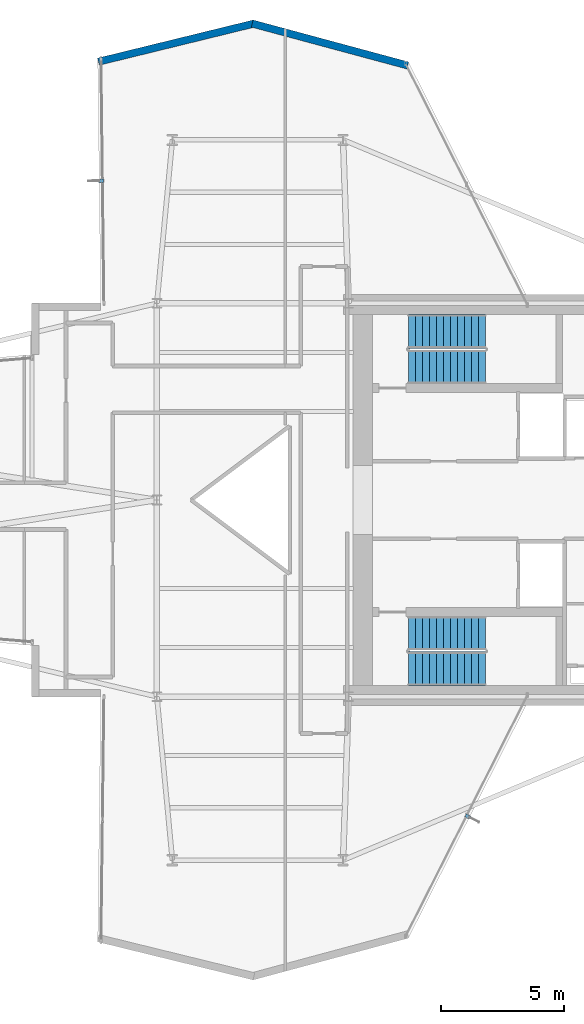
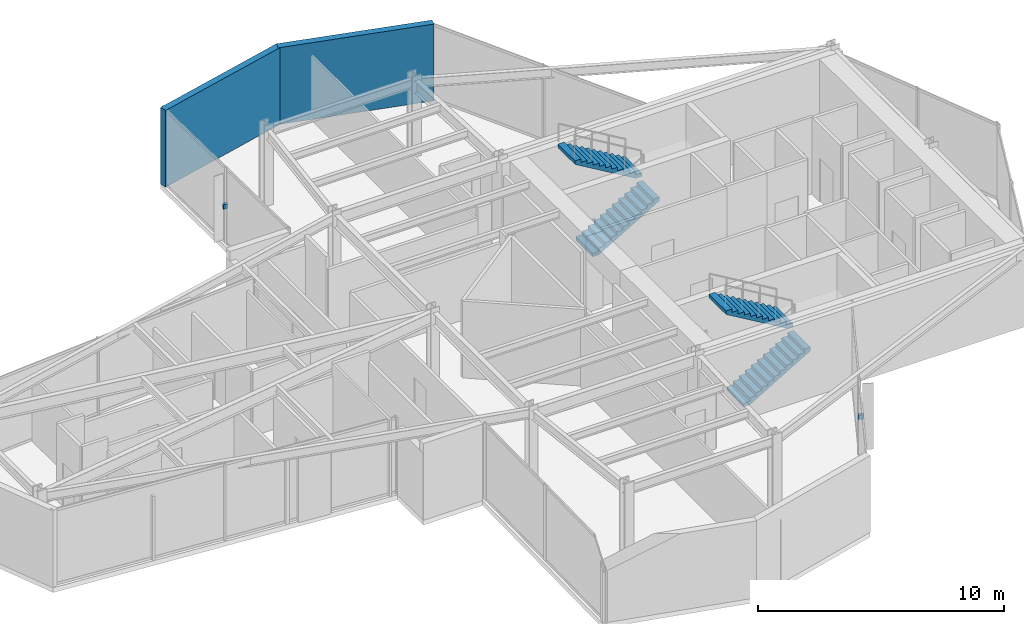
# One storey, part 24 of 25: 4 stair flights, 2 discrete accessories, 2 walls, 2 elements without a shape of their own.
"""IFC4 building model written with IfcOpenShell, lengths in metres."""

from ifc_helpers import new_model, si_unit, direction, frame, frame_2d, origin, origin_2d, place, context, subcontext, project, spatial, polyline, rectangle, outline, extrude, material, layer, layer_set, type_object, element, aggregate, save


model = new_model("IFC4")

# Units and contexts
model_context = context("Model", 3, precision=1e-05, world=origin(), true_north=direction((0.0, 1.0)))
body_context = subcontext(model_context, "Body", "Model", "MODEL_VIEW")
ifc_project = project(units=[si_unit("LENGTHUNIT", "METRE"), si_unit("AREAUNIT", "SQUARE_METRE"), si_unit("VOLUMEUNIT", "CUBIC_METRE"), si_unit("PLANEANGLEUNIT", "RADIAN"), si_unit("MASSUNIT", "GRAM", prefix="KILO")], contexts=[model_context])

# Site, building, storey
site_placement = place(None, origin())
site = spatial("IfcSite", under=ifc_project, at=site_placement, CompositionType="ELEMENT")
building_placement = place(site_placement, origin())
building = spatial("IfcBuilding", under=site, at=building_placement, Name="Veymaron Broadcast Tower", CompositionType="ELEMENT")
storey_placement = place(building_placement, frame((0.0, 0.0, 129.0)))
storey = spatial("IfcBuildingStorey", under=building, at=storey_placement, Name="L29", CompositionType="ELEMENT", Elevation=129.0)

# Walls
ifc_material_1 = material(Name="Precast concrete C40/50 with mineral-wool insulation", Category="concrete")
ifc_layer_1 = layer(ifc_material_1, 0.300048828125)
ifc_layer_set_1 = layer_set([ifc_layer_1], Name="Precast concrete C40/50 with mineral-wool insulation")
wall_type = type_object("IfcWallType", Name="WALL-EXT-300", PredefinedType="STANDARD", material=ifc_layer_set_1)
wall_1_placement = place(storey_placement, frame((41.403564453125, 41.6748046875, 0.0), z_axis=(0.0, 0.0, 1.0), x_axis=(-0.965531145086, 0.260287548434, 0.0)))
element("IfcWall", 1, at=wall_1_placement, inside=storey, type_object=wall_type, Name="L29 notched corner facade pier 6-1", PredefinedType="STANDARD", context=body_context, shape_type="SweptSolid", body=[
    extrude(rectangle(XDim=6.55078125, YDim=0.300048828125, at=frame_2d((3.275390625, 0.0))), origin(), (0.0, 0.0, 1.0), 3.81005859375),
])
wall_2_placement = place(storey_placement, frame((35.148193359375, 43.37890625, 0.0), z_axis=(0.0, 0.0, 1.0), x_axis=(-0.971267606245, -0.23798999361, 0.0)))
element("IfcWall", 2, at=wall_2_placement, inside=storey, type_object=wall_type, Name="L29 notched corner facade pier 7-1", PredefinedType="STANDARD", context=body_context, shape_type="SweptSolid", body=[
    extrude(rectangle(XDim=6.511962890625, YDim=0.300048828125, at=frame_2d((3.255859375, 0.0))), origin(), (0.0, 0.0, 1.0), 3.81005859375),
])

# Stair, stair flights
ifc_material_2 = material(Name="Concrete C50/60", Category="concrete")
stair_type_1 = type_object("IfcStairType", Name="STAIR-CORE-1", PredefinedType="HALF_TURN_STAIR", material=ifc_material_2)
stair_1_placement = place(storey_placement, origin())
stair_1 = element("IfcStair", 3, at=stair_1_placement, inside=storey, type_object=stair_type_1, Name="L29 North protected dog-leg exit stair ST1", PredefinedType="HALF_TURN_STAIR")
ifc_material_3 = material(Name="Precast concrete C50/60", Category="concrete")
stair_flight_type = type_object("IfcStairFlightType", Name="FLT-CORE-RC", PredefinedType="STRAIGHT", material=ifc_material_3)
stair_flight_1_placement = place(storey_placement, frame((41.429931640625, 29.419921875, 0.0), z_axis=(0.0, 0.0, 1.0), x_axis=(1.0, 0.0, 0.0)))
stair_flight_1 = element("IfcStairFlight", 4, at=stair_flight_1_placement, type_object=stair_flight_type, Name="ST1 flight 1", NumberOfRisers=12, NumberOfTreads=11, PredefinedType="STRAIGHT", RiserHeight=0.16875, TreadLength=0.285, context=body_context, shape_type="SweptSolid", body=[
    extrude(outline(polyline([(0.0, 0.0), (0.0, 0.168701171875), (0.284912109375, 0.168701171875), (0.284912109375, 0.33740234375), (0.570068359375, 0.33740234375), (0.570068359375, 0.50634765625), (0.85498046875, 0.50634765625), (0.85498046875, 0.675048828125), (1.139892578125, 0.675048828125), (1.139892578125, 0.84375), (1.425048828125, 0.84375), (1.425048828125, 1.012451171875), (1.7099609375, 1.012451171875), (1.7099609375, 1.18115234375), (1.9951171875, 1.18115234375), (1.9951171875, 1.35009765625), (2.280029296875, 1.35009765625), (2.280029296875, 1.518798828125), (2.56494140625, 1.518798828125), (2.56494140625, 1.6875), (2.85009765625, 1.6875), (2.85009765625, 1.856201171875), (3.135009765625, 1.856201171875), (3.135009765625, 2.02490234375), (3.135009765625, 1.68212890625), (0.294189453125, 0.0), (0.0, 0.0)])), frame((0.0, 0.68994140625, 0.0), z_axis=(0.0, -1.0, 0.0), x_axis=(1.0, 0.0, 0.0)), (0.0, 0.0, 1.0), 1.3798828125),
])
stair_flight_2_placement = place(storey_placement, frame((44.56494140625, 30.860107421875, 2.02490234375), z_axis=(0.0, 0.0, 1.0), x_axis=(-1.0, 0.0, 0.0)))
stair_flight_2 = element("IfcStairFlight", 5, at=stair_flight_2_placement, type_object=stair_flight_type, Name="ST1 flight 2", NumberOfRisers=12, NumberOfTreads=11, PredefinedType="STRAIGHT", RiserHeight=0.16875, TreadLength=0.285, context=body_context, shape_type="SweptSolid", body=[
    extrude(outline(polyline([(0.0, 0.0), (0.0, 0.168701171875), (0.284912109375, 0.168701171875), (0.284912109375, 0.33740234375), (0.570068359375, 0.33740234375), (0.570068359375, 0.50634765625), (0.85498046875, 0.50634765625), (0.85498046875, 0.675048828125), (1.139892578125, 0.675048828125), (1.139892578125, 0.84375), (1.425048828125, 0.84375), (1.425048828125, 1.012451171875), (1.7099609375, 1.012451171875), (1.7099609375, 1.18115234375), (1.9951171875, 1.18115234375), (1.9951171875, 1.35009765625), (2.280029296875, 1.35009765625), (2.280029296875, 1.518798828125), (2.56494140625, 1.518798828125), (2.56494140625, 1.6875), (2.85009765625, 1.6875), (2.85009765625, 1.856201171875), (3.135009765625, 1.856201171875), (3.135009765625, 2.02490234375), (3.135009765625, 1.68212890625), (0.294189453125, 0.0), (0.0, 0.0)])), frame((0.0, 0.68994140625, 0.0), z_axis=(0.0, -1.0, 0.0), x_axis=(1.0, 0.0, 0.0)), (0.0, 0.0, 1.0), 1.3798828125),
])
aggregate(stair_1, [stair_flight_1, stair_flight_2])

stair_type_2 = type_object("IfcStairType", Name="STAIR-CORE-2", PredefinedType="HALF_TURN_STAIR", material=ifc_material_2)
stair_2_placement = place(storey_placement, origin())
stair_2 = element("IfcStair", 6, at=stair_2_placement, inside=storey, type_object=stair_type_2, Name="L29 South protected dog-leg exit stair ST2", PredefinedType="HALF_TURN_STAIR")
stair_flight_3_placement = place(storey_placement, frame((41.429931640625, 17.139892578125, 0.0), z_axis=(0.0, 0.0, 1.0), x_axis=(1.0, 0.0, 0.0)))
stair_flight_3 = element("IfcStairFlight", 7, at=stair_flight_3_placement, type_object=stair_flight_type, Name="ST2 flight 1", NumberOfRisers=12, NumberOfTreads=11, PredefinedType="STRAIGHT", RiserHeight=0.16875, TreadLength=0.285, context=body_context, shape_type="SweptSolid", body=[
    extrude(outline(polyline([(0.0, 0.0), (0.0, 0.168701171875), (0.284912109375, 0.168701171875), (0.284912109375, 0.33740234375), (0.570068359375, 0.33740234375), (0.570068359375, 0.50634765625), (0.85498046875, 0.50634765625), (0.85498046875, 0.675048828125), (1.139892578125, 0.675048828125), (1.139892578125, 0.84375), (1.425048828125, 0.84375), (1.425048828125, 1.012451171875), (1.7099609375, 1.012451171875), (1.7099609375, 1.18115234375), (1.9951171875, 1.18115234375), (1.9951171875, 1.35009765625), (2.280029296875, 1.35009765625), (2.280029296875, 1.518798828125), (2.56494140625, 1.518798828125), (2.56494140625, 1.6875), (2.85009765625, 1.6875), (2.85009765625, 1.856201171875), (3.135009765625, 1.856201171875), (3.135009765625, 2.02490234375), (3.135009765625, 1.68212890625), (0.294189453125, 0.0), (0.0, 0.0)])), frame((0.0, 0.68994140625, 0.0), z_axis=(0.0, -1.0, 0.0), x_axis=(1.0, 0.0, 0.0)), (0.0, 0.0, 1.0), 1.3798828125),
])
stair_flight_4_placement = place(storey_placement, frame((44.56494140625, 18.580078125, 2.02490234375), z_axis=(0.0, 0.0, 1.0), x_axis=(-1.0, 0.0, 0.0)))
stair_flight_4 = element("IfcStairFlight", 8, at=stair_flight_4_placement, type_object=stair_flight_type, Name="ST2 flight 2", NumberOfRisers=12, NumberOfTreads=11, PredefinedType="STRAIGHT", RiserHeight=0.16875, TreadLength=0.285, context=body_context, shape_type="SweptSolid", body=[
    extrude(outline(polyline([(0.0, 0.0), (0.0, 0.168701171875), (0.284912109375, 0.168701171875), (0.284912109375, 0.33740234375), (0.570068359375, 0.33740234375), (0.570068359375, 0.50634765625), (0.85498046875, 0.50634765625), (0.85498046875, 0.675048828125), (1.139892578125, 0.675048828125), (1.139892578125, 0.84375), (1.425048828125, 0.84375), (1.425048828125, 1.012451171875), (1.7099609375, 1.012451171875), (1.7099609375, 1.18115234375), (1.9951171875, 1.18115234375), (1.9951171875, 1.35009765625), (2.280029296875, 1.35009765625), (2.280029296875, 1.518798828125), (2.56494140625, 1.518798828125), (2.56494140625, 1.6875), (2.85009765625, 1.6875), (2.85009765625, 1.856201171875), (3.135009765625, 1.856201171875), (3.135009765625, 2.02490234375), (3.135009765625, 1.68212890625), (0.294189453125, 0.0), (0.0, 0.0)])), frame((0.0, 0.68994140625, 0.0), z_axis=(0.0, -1.0, 0.0), x_axis=(1.0, 0.0, 0.0)), (0.0, 0.0, 1.0), 1.3798828125),
])
aggregate(stair_2, [stair_flight_3, stair_flight_4])

# Discrete accessories
ifc_material_4 = material(Name="Austenitic stainless steel AISI 316L", Category="steel")
ifc_layer_2 = layer(ifc_material_4, 0.1201171875)
ifc_layer_set_2 = layer_set([ifc_layer_2], Name="Austenitic stainless steel AISI 316L")
discrete_accessory_type = type_object("IfcDiscreteAccessoryType", Name="ACC-BRKT-SS1", PredefinedType="BRACKET", material=ifc_layer_set_2)
for number, where, z_axis, x_axis, name in (
    (9, (28.93017578125, 36.9833984375, 1.794921875), (0.0, 0.0, 1.0), (-0.999927065729, -0.012077384797, 0.0), "CW-L29-E8-1 fin bracket 1"),
    (10, (43.846435546875, 11.131103515625, 1.794921875), (0.0, 0.0, 1.0), (0.892570079313, -0.450908697538, 0.0), "CW-L29-E20-1 fin bracket 1"),
):
    element("IfcDiscreteAccessory", number, at=place(storey_placement, frame(where, z_axis=z_axis, x_axis=x_axis)), inside=storey, type_object=discrete_accessory_type, Name=name, PredefinedType="BRACKET", context=body_context, shape_type="SweptSolid", body=[
        extrude(rectangle(XDim=0.219970703125, YDim=0.139892578125, at=origin_2d()), origin(), (0.0, 0.0, 1.0), 0.219970703125),
    ])

save(model, "model.ifc")
